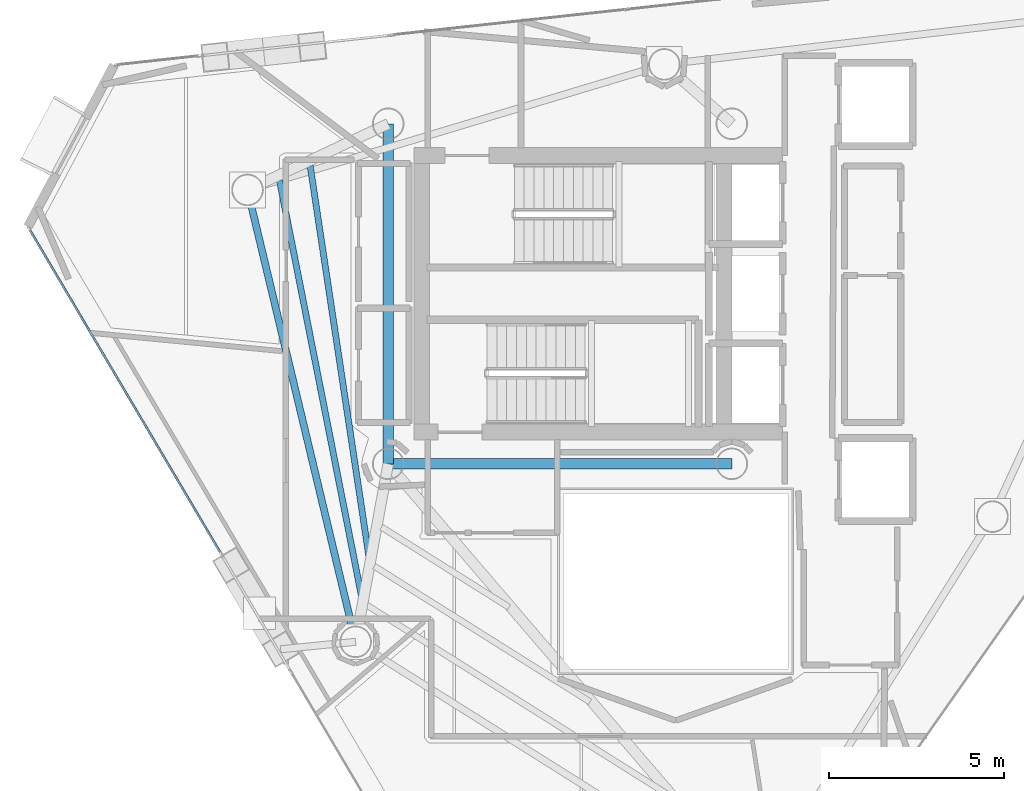
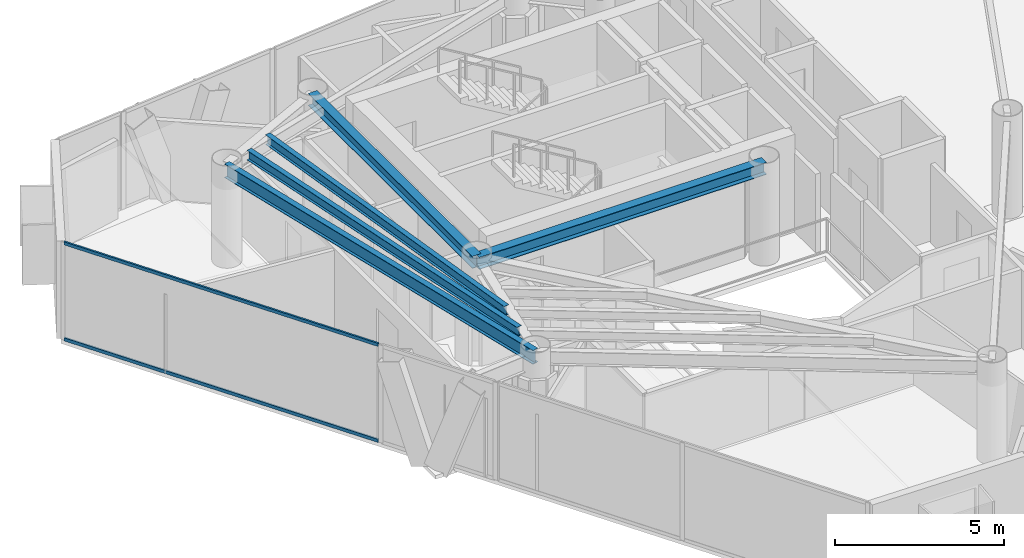
# One storey, part 7 of 19: 5 beams, 2 members, 1 element without a shape of its own.
"""IFC4 building model written with IfcOpenShell, lengths in metres."""

from ifc_helpers import new_model, si_unit, direction, frame, origin, origin_2d, place, context, subcontext, project, spatial, hollow_rectangle, i_section, extrude, material, layer, layer_set, material_profile, profile_set, type_object, element, aggregate, save


model = new_model("IFC4")

# Units and contexts
model_context = context("Model", 3, precision=1e-05, world=origin(), true_north=direction((0.0, 1.0)))
body_context = subcontext(model_context, "Body", "Model", "MODEL_VIEW")
ifc_project = project(units=[si_unit("LENGTHUNIT", "METRE"), si_unit("AREAUNIT", "SQUARE_METRE"), si_unit("VOLUMEUNIT", "CUBIC_METRE"), si_unit("PLANEANGLEUNIT", "RADIAN"), si_unit("MASSUNIT", "GRAM", prefix="KILO")], contexts=[model_context])

# Site, building, storey
site_placement = place(None, origin())
site = spatial("IfcSite", under=ifc_project, at=site_placement, CompositionType="ELEMENT")
building_placement = place(site_placement, origin())
building = spatial("IfcBuilding", under=site, at=building_placement, Name="Qianvela Tower", CompositionType="ELEMENT")
storey_placement = place(building_placement, frame((0.0, 0.0, 280.60009765625)))
storey = spatial("IfcBuildingStorey", under=building, at=storey_placement, Name="L72", CompositionType="ELEMENT", Elevation=280.60009765625)

# Beams
ifc_material_1 = material(Name="Steel Q355B", Category="steel")
ifc_material_profile_1 = material_profile(ifc_material_1, i_section(OverallWidth=0.300048828125, OverallDepth=0.43994140625, WebThickness=0.010986328125, FlangeThickness=0.01806640625, at=origin_2d()), Name="HM440x300x11x18")
ifc_profile_set_1 = profile_set([ifc_material_profile_1], Name="Steel Q355B")
beam_type_1 = type_object("IfcBeamType", Name="BM-HM440-COLL", PredefinedType="BEAM", material=ifc_profile_set_1)
beam_1_placement = place(storey_placement, frame((28.60009765625, 23.85009765625, 3.2978515625), z_axis=(1.0, 0.0, 0.0), x_axis=(0.0, 1.0, 0.0)))
element("IfcBeam", 1, at=beam_1_placement, inside=storey, type_object=beam_type_1, Name="L72 Core Ring Collector Girder CC1", PredefinedType="BEAM", context=body_context, shape_type="SweptSolid", body=[
    extrude(i_section(OverallWidth=0.300048828125, OverallDepth=0.43994140625, WebThickness=0.010986328125, FlangeThickness=0.01806640625, at=origin_2d()), origin(), (0.0, 0.0, 1.0), 9.7998046875),
])
beam_2_placement = place(storey_placement, frame((28.60009765625, 33.550048828125, 3.2978515625), z_axis=(0.0, -1.0, 0.0), x_axis=(1.0, 0.0, 0.0)))
element("IfcBeam", 2, at=beam_2_placement, inside=storey, type_object=beam_type_1, Name="L72 Core Ring Collector Girder CC2", PredefinedType="BEAM", context=body_context, shape_type="SweptSolid", body=[
    extrude(i_section(OverallWidth=0.300048828125, OverallDepth=0.43994140625, WebThickness=0.010986328125, FlangeThickness=0.01806640625, at=origin_2d()), origin(), (0.0, 0.0, 1.0), 9.699951171875),
])
ifc_material_2 = material(Name="Steel Q355B", Category="steel")
ifc_material_profile_2 = material_profile(ifc_material_2, i_section(OverallWidth=0.175048828125, OverallDepth=0.35009765625, WebThickness=0.007080078125, FlangeThickness=0.010986328125, at=origin_2d()), Name="HN350x175x7x11")
ifc_profile_set_2 = profile_set([ifc_material_profile_2], Name="Steel Q355B")
beam_type_2 = type_object("IfcBeamType", Name="BM-HN350-JOIST", PredefinedType="JOIST", material=ifc_profile_set_2)
beam_3_placement = place(storey_placement, frame((26.37451171875, 32.348876953125, 3.343017578125), z_axis=(0.148647266964, -0.988890282096, 0.0), x_axis=(0.988890282096, 0.148647266964, 0.0)))
element("IfcBeam", 3, at=beam_3_placement, inside=storey, type_object=beam_type_2, Name="L72 Secondary Composite Floor Joist 3.2", PredefinedType="JOIST", context=body_context, shape_type="SweptSolid", body=[
    extrude(i_section(OverallWidth=0.175048828125, OverallDepth=0.35009765625, WebThickness=0.007080078125, FlangeThickness=0.010986328125, at=origin_2d()), origin(), (0.0, 0.0, 1.0), 11.32275390625),
])
beam_4_placement = place(storey_placement, frame((25.498046875, 31.934814453125, 3.343017578125), z_axis=(0.193576445355, -0.981085194977, 0.0), x_axis=(0.981085194977, 0.193576445355, 0.0)))
element("IfcBeam", 4, at=beam_4_placement, inside=storey, type_object=beam_type_2, Name="L72 Secondary Composite Floor Joist 3.3", PredefinedType="JOIST", context=body_context, shape_type="SweptSolid", body=[
    extrude(i_section(OverallWidth=0.175048828125, OverallDepth=0.35009765625, WebThickness=0.007080078125, FlangeThickness=0.010986328125, at=origin_2d()), origin(), (0.0, 0.0, 1.0), 12.13037109375),
])
ifc_material_3 = material(Name="Steel Q355B", Category="steel")
ifc_material_profile_3 = material_profile(ifc_material_3, i_section(OverallWidth=0.199951171875, OverallDepth=0.5, WebThickness=0.010009765625, FlangeThickness=0.01611328125, at=origin_2d()), Name="HN500x200x10x16")
ifc_profile_set_3 = profile_set([ifc_material_profile_3], Name="Steel Q355B")
beam_type_3 = type_object("IfcBeamType", Name="BM-HN500-GIRD", PredefinedType="BEAM", material=ifc_profile_set_3)
beam_5_placement = place(storey_placement, frame((24.5869140625, 31.6630859375, 3.267822265625), z_axis=(0.232631550142, -0.972564939672, 0.0), x_axis=(0.972564939672, 0.232631550142, 0.0)))
element("IfcBeam", 5, at=beam_5_placement, inside=storey, type_object=beam_type_3, Name="L72 Perimeter Ring Spandrel Girder 3", PredefinedType="BEAM", context=body_context, shape_type="SweptSolid", body=[
    extrude(i_section(OverallWidth=0.199951171875, OverallDepth=0.5, WebThickness=0.010009765625, FlangeThickness=0.01611328125, at=origin_2d()), origin(), (0.0, 0.0, 1.0), 13.252685546875),
])

# Curtain wall, members
ifc_material_4 = material(Name="Anodised Architectural Aluminium and Low-E Glass", Category="aluminium")
ifc_layer = layer(ifc_material_4, 0.14990234375)
ifc_layer_set = layer_set([ifc_layer], Name="Anodised Architectural Aluminium and Low-E Glass")
curtain_wall_type = type_object("IfcCurtainWallType", Name="CW-COLIV-Z78", PredefinedType="USERDEFINED", material=ifc_layer_set)
curtain_wall_placement = place(storey_placement, origin())
curtain_wall = element("IfcCurtainWall", 6, at=curtain_wall_placement, inside=storey, type_object=curtain_wall_type, Name="L72 CW-COLIV-Z78 Curtain Wall 04A", ObjectType="CURTAIN_WALL_SYSTEM", PredefinedType="USERDEFINED")
ifc_material_5 = material(Name="Anodised Architectural Aluminium 6063-T6", Category="aluminium")
ifc_material_profile_4 = material_profile(ifc_material_5, hollow_rectangle(XDim=0.06005859375, YDim=0.114990234375, WallThickness=0.00390625, at=origin_2d()), Name="ALU-TRAN-60x115")
ifc_profile_set_4 = profile_set([ifc_material_profile_4], Name="Anodised Architectural Aluminium 6063-T6")
member_type = type_object("IfcMemberType", Name="CW-COLIV-Z78-TRAN", PredefinedType="USERDEFINED", material=ifc_profile_set_4)
member_1_placement = place(storey_placement, frame((18.3779296875, 30.521240234375, 0.02978515625), z_axis=(0.508457683887, -0.861086978009, 0.0), x_axis=(0.861086978009, 0.508457683887, 0.0)))
member_1 = element("IfcMember", 7, at=member_1_placement, type_object=member_type, Name="CW-6 transom 1.1", ObjectType="TRANSOM", PredefinedType="USERDEFINED", context=body_context, shape_type="SweptSolid", body=[
    extrude(hollow_rectangle(XDim=0.06005859375, YDim=0.114990234375, WallThickness=0.00390625, at=origin_2d()), origin(), (0.0, 0.0, 1.0), 10.659912109375),
])
member_2_placement = place(storey_placement, frame((18.3779296875, 30.521240234375, 3.489990234375), z_axis=(0.508457683887, -0.861086978009, 0.0), x_axis=(0.861086978009, 0.508457683887, 0.0)))
member_2 = element("IfcMember", 8, at=member_2_placement, type_object=member_type, Name="CW-6 transom 1.2", ObjectType="TRANSOM", PredefinedType="USERDEFINED", context=body_context, shape_type="SweptSolid", body=[
    extrude(hollow_rectangle(XDim=0.06005859375, YDim=0.114990234375, WallThickness=0.00390625, at=origin_2d()), origin(), (0.0, 0.0, 1.0), 10.659912109375),
])
aggregate(curtain_wall, [member_1, member_2])

save(model, "model.ifc")
